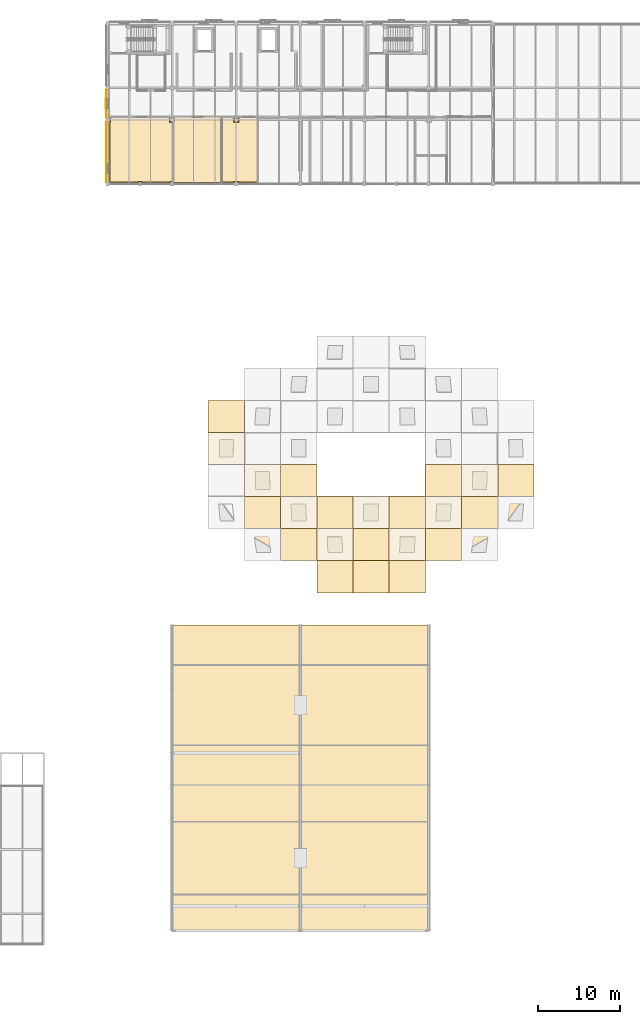
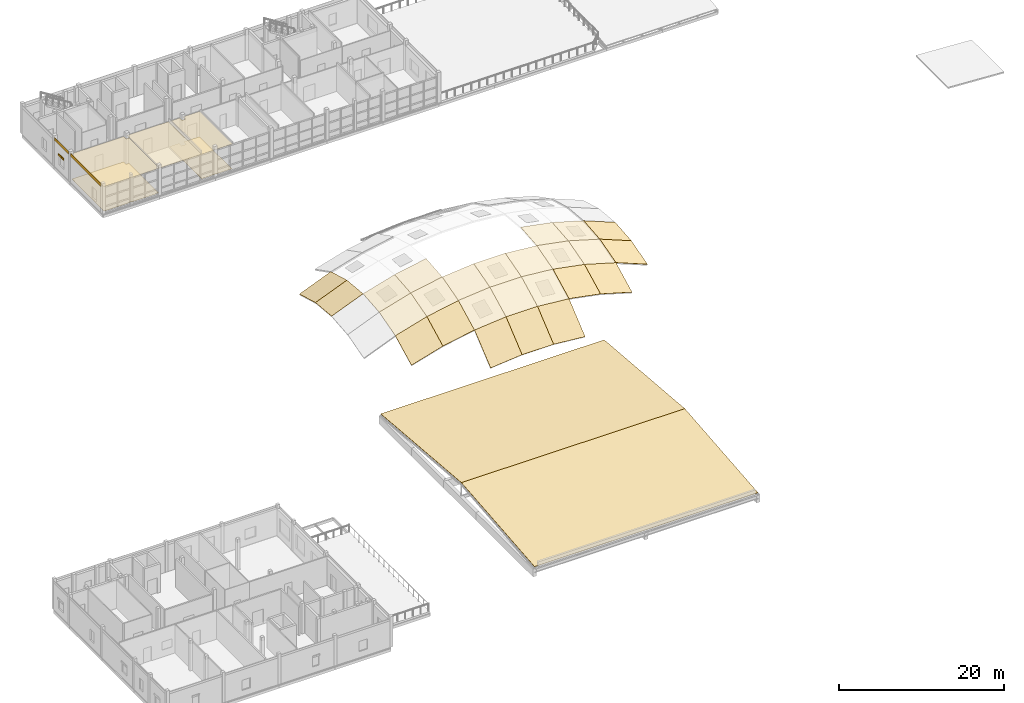
# One storey, part 41 of 45: 34 coverings, 1 shading device.
"""IFC4 building model written with IfcOpenShell, lengths in metres."""

from ifc_helpers import new_model, si_unit, direction, frame, origin, origin_2d, place, context, subcontext, project, spatial, polyline, rectangle, outline, extrude, material, layer, layer_set, type_object, element, save


model = new_model("IFC4")

# Units and contexts
model_context = context("Model", 3, precision=1e-05, world=origin(), true_north=direction((0.0, 1.0)))
body_context = subcontext(model_context, "Body", "Model", "MODEL_VIEW")
ifc_project = project(units=[si_unit("LENGTHUNIT", "METRE"), si_unit("AREAUNIT", "SQUARE_METRE"), si_unit("VOLUMEUNIT", "CUBIC_METRE"), si_unit("PLANEANGLEUNIT", "RADIAN"), si_unit("MASSUNIT", "GRAM", prefix="KILO")], contexts=[model_context])

# Site, building, storey
site_placement = place(None, origin())
site = spatial("IfcSite", under=ifc_project, at=site_placement, CompositionType="ELEMENT")
building_placement = place(site_placement, origin())
building = spatial("IfcBuilding", under=site, at=building_placement, Name="Celorna Specialist Clinic", CompositionType="ELEMENT")
storey_placement = place(building_placement, frame((0.0, 0.0, 18.60009765625)))
storey = spatial("IfcBuildingStorey", under=building, at=storey_placement, Name="L04", CompositionType="ELEMENT", Elevation=18.60009765625)

# Coverings
ifc_material_1 = material(Name="Hygienic acoustic mineral-fibre ceiling")
ifc_layer_1 = layer(ifc_material_1, 0.030029296875, Name="Hygienic acoustic mineral-fibre ceiling")
ifc_layer_set_1 = layer_set([ifc_layer_1], Name="Hygienic acoustic mineral-fibre ceiling")
covering_type_1 = type_object("IfcCoveringType", Name="CE-01", PredefinedType="CEILING", material=ifc_layer_set_1)
covering_1_placement = place(storey_placement, frame((0.0, 0.0, 3.669921875)))
element("IfcCovering", 1, at=covering_1_placement, inside=storey, type_object=covering_type_1, Name="Acoustic ceiling L04-008", PredefinedType="CEILING", context=body_context, shape_type="SweptSolid", body=[
    extrude(outline(polyline([(46.97509765625, 104.070068359375), (47.030029296875, 104.070068359375), (47.030029296875, 104.530029296875), (47.02001953125, 104.530029296875), (47.02001953125, 104.6650390625), (54.3798828125, 104.6650390625), (54.3798828125, 104.530029296875), (54.3701171875, 104.530029296875), (54.3701171875, 104.070068359375), (54.804931640625, 104.070068359375), (54.804931640625, 96.72998046875), (54.3701171875, 96.72998046875), (54.3701171875, 96.675048828125), (50.85498046875, 96.675048828125), (50.85498046875, 96.7451171875), (50.544921875, 96.7451171875), (50.544921875, 96.675048828125), (47.030029296875, 96.675048828125), (47.030029296875, 96.72998046875), (46.97509765625, 96.72998046875), (46.97509765625, 104.070068359375)])), origin(), (0.0, 0.0, 1.0), 0.030029296875),
])
covering_2_placement = place(storey_placement, frame((0.0, 0.0, 3.669921875)))
element("IfcCovering", 2, at=covering_2_placement, inside=storey, type_object=covering_type_1, Name="Acoustic ceiling L04-009", PredefinedType="CEILING", context=body_context, shape_type="SweptSolid", body=[
    extrude(outline(polyline([(54.77490234375, 104.070068359375), (54.830078125, 104.070068359375), (54.830078125, 104.530029296875), (54.820068359375, 104.530029296875), (54.820068359375, 104.6650390625), (60.655029296875, 104.6650390625), (60.655029296875, 96.675048828125), (54.830078125, 96.675048828125), (54.830078125, 96.72998046875), (54.77490234375, 96.72998046875), (54.77490234375, 104.070068359375)])), origin(), (0.0, 0.0, 1.0), 0.030029296875),
])
covering_3_placement = place(storey_placement, frame((0.0, 0.0, 3.669921875)))
element("IfcCovering", 3, at=covering_3_placement, inside=storey, type_object=covering_type_1, Name="Acoustic ceiling L04-010", PredefinedType="CEILING", context=body_context, shape_type="SweptSolid", body=[
    extrude(outline(polyline([(62.179931640625, 104.6650390625), (62.179931640625, 104.530029296875), (62.169921875, 104.530029296875), (62.169921875, 104.070068359375), (62.6298828125, 104.070068359375), (62.6298828125, 104.530029296875), (62.6201171875, 104.530029296875), (62.6201171875, 104.6650390625), (65.0048828125, 104.6650390625), (65.0048828125, 96.675048828125), (62.6298828125, 96.675048828125), (62.6298828125, 96.72998046875), (62.169921875, 96.72998046875), (62.169921875, 96.675048828125), (60.625, 96.675048828125), (60.625, 104.6650390625), (62.179931640625, 104.6650390625)])), origin(), (0.0, 0.0, 1.0), 0.030029296875),
])
ifc_material_2 = material(Name="Pero Pinheiro Lioz limestone rainscreen cladding", Category="masonry")
ifc_layer_2 = layer(ifc_material_2, 0.044921875, Name="Pero Pinheiro Lioz limestone rainscreen cladding")
ifc_layer_set_2 = layer_set([ifc_layer_2], Name="Pero Pinheiro Lioz limestone rainscreen cladding")
covering_type_2 = type_object("IfcCoveringType", Name="CL-01", PredefinedType="CLADDING", material=ifc_layer_set_2)
covering_4_placement = place(storey_placement, frame((46.632568359375, 100.39990234375, 3.81982421875), z_axis=(0.0, 0.0, 1.0), x_axis=(0.0, 1.0, 0.0)))
element("IfcCovering", 4, at=covering_4_placement, inside=storey, type_object=covering_type_2, Name="Lioz spandrel cladding #280", PredefinedType="CLADDING", context=body_context, shape_type="SweptSolid", body=[
    extrude(rectangle(XDim=7.35009765625, YDim=0.044921875, at=origin_2d()), origin(), (0.0, 0.0, 1.0), 0.43994140625),
])
covering_5_placement = place(storey_placement, frame((46.632568359375, 106.25, 3.81982421875), z_axis=(0.0, 0.0, 1.0), x_axis=(0.0, 1.0, 0.0)))
element("IfcCovering", 5, at=covering_5_placement, inside=storey, type_object=covering_type_2, Name="Lioz spandrel cladding #281", PredefinedType="CLADDING", context=body_context, shape_type="SweptSolid", body=[
    extrude(rectangle(XDim=3.449951171875, YDim=0.044921875, at=origin_2d()), origin(), (0.0, 0.0, 1.0), 0.43994140625),
])
ifc_material_3 = material(Name="Seamless antimicrobial clinical vinyl and Lioz terrazzo flooring")
ifc_layer_3 = layer(ifc_material_3, 0.02001953125, Name="Seamless antimicrobial clinical vinyl and Lioz terrazzo flooring")
ifc_layer_set_3 = layer_set([ifc_layer_3], Name="Seamless antimicrobial clinical vinyl and Lioz terrazzo flooring")
covering_type_3 = type_object("IfcCoveringType", Name="FL-01", PredefinedType="FLOORING", material=ifc_layer_set_3)
covering_6_placement = place(storey_placement, origin())
element("IfcCovering", 6, at=covering_6_placement, inside=storey, type_object=covering_type_3, Name="Antimicrobial clinical flooring L04-008", PredefinedType="FLOORING", context=body_context, shape_type="SweptSolid", body=[
    extrude(outline(polyline([(47.110107421875, 96.764892578125), (47.110107421875, 96.81005859375), (47.06494140625, 96.81005859375), (47.06494140625, 103.989990234375), (47.110107421875, 103.989990234375), (47.110107421875, 104.574951171875), (54.2900390625, 104.574951171875), (54.2900390625, 103.989990234375), (54.715087890625, 103.989990234375), (54.715087890625, 96.81005859375), (54.2900390625, 96.81005859375), (54.2900390625, 96.764892578125), (50.93505859375, 96.764892578125), (50.93505859375, 96.824951171875), (50.465087890625, 96.824951171875), (50.465087890625, 96.764892578125), (47.110107421875, 96.764892578125)])), origin(), (0.0, 0.0, 1.0), 0.02001953125),
])
covering_7_placement = place(storey_placement, origin())
element("IfcCovering", 7, at=covering_7_placement, inside=storey, type_object=covering_type_3, Name="Antimicrobial clinical flooring L04-010", PredefinedType="FLOORING", context=body_context, shape_type="SweptSolid", body=[
    extrude(outline(polyline([(60.715087890625, 104.574951171875), (62.090087890625, 104.574951171875), (62.090087890625, 103.989990234375), (62.7099609375, 103.989990234375), (62.7099609375, 104.574951171875), (64.9150390625, 104.574951171875), (64.9150390625, 96.764892578125), (62.7099609375, 96.764892578125), (62.7099609375, 96.81005859375), (62.090087890625, 96.81005859375), (62.090087890625, 96.764892578125), (60.715087890625, 96.764892578125), (60.715087890625, 104.574951171875)])), origin(), (0.0, 0.0, 1.0), 0.02001953125),
])

# Shading device
ifc_material_4 = material(Name="Anodized aluminium solar louvre", Category="aluminium")
ifc_layer_4 = layer(ifc_material_4, 0.080078125, Name="Anodized aluminium solar louvre")
ifc_layer_set_4 = layer_set([ifc_layer_4], Name="Anodized aluminium solar louvre")
shading_device_type = type_object("IfcShadingDeviceType", Name="LV-01", PredefinedType="JALOUSIE", material=ifc_layer_set_4)
shading_device_placement = place(storey_placement, frame((46.570068359375, 106.25, 2.33984375), z_axis=(0.0, 0.0, 1.0), x_axis=(0.0, 1.0, 0.0)))
element("IfcShadingDevice", 8, at=shading_device_placement, inside=storey, type_object=shading_device_type, Name="External solar louvre LV-01 #160", PredefinedType="JALOUSIE", context=body_context, shape_type="SweptSolid", body=[
    extrude(rectangle(XDim=1.199951171875, YDim=0.080078125, at=origin_2d()), origin(), (0.0, 0.0, 1.0), 0.219970703125),
])

# Coverings
ifc_material_5 = material(Name="Standing-seam zinc and EPDM acoustic roofing membrane")
ifc_layer_5 = layer(ifc_material_5, 0.0400390625, Name="Standing-seam zinc and EPDM acoustic roofing membrane")
ifc_layer_set_5 = layer_set([ifc_layer_5], Name="Standing-seam zinc and EPDM acoustic roofing membrane")
covering_type_4 = type_object("IfcCoveringType", Name="RFG-01", PredefinedType="ROOFING", material=ifc_layer_set_5)
covering_8_placement = place(storey_placement, frame((59.0, 62.39990234375, 1.164306640625), z_axis=(-0.372921049749, 0.084476737832, 0.924009508295), x_axis=(0.927324209994, -2.008205e-06, 0.374259013994)))
element("IfcCovering", 9, at=covering_8_placement, inside=storey, type_object=covering_type_4, Name="GSH-V1 gridshell standing-seam roofing 2-5", PredefinedType="ROOFING", context=body_context, shape_type="SweptSolid", body=[
    extrude(outline(polyline([(0.0, 0.0), (4.744774653392711, 2.7755575615628914e-17), (4.611272578070528, 3.9141470525154562), (-0.13341070349259498, 3.9141279273750094), (0.0, 0.0)])), origin(), (0.0, 0.0, -1.0), 0.0400390625),
])
covering_9_placement = place(storey_placement, frame((59.0, 66.300048828125, 0.807861328125), z_axis=(-0.361908443036, 0.254775062522, 0.896722892747), x_axis=(0.927324853287, 5.877843e-06, 0.374257420022)))
element("IfcCovering", 10, at=covering_9_placement, inside=storey, type_object=covering_type_4, Name="GSH-V1 gridshell standing-seam roofing 2-6", PredefinedType="ROOFING", context=body_context, shape_type="SweptSolid", body=[
    extrude(outline(polyline([(0.0, 0.0), (4.744683281679683, -1.1102230246251565e-16), (4.330062608000514, 4.032963288958166), (-0.4147120451196047, 4.033020969957852), (0.0, 0.0)])), origin(), (0.0, 0.0, -1.0), 0.0400390625),
])
covering_10_placement = place(storey_placement, frame((63.39990234375, 50.699951171875, -0.52197265625), z_axis=(-0.251864517352, -0.441166030101, 0.861357532494), x_axis=(0.959809509952, 0.0, 0.280652284162)))
element("IfcCovering", 11, at=covering_10_placement, inside=storey, type_object=covering_type_4, Name="GSH-V1 gridshell standing-seam roofing 3-2", PredefinedType="ROOFING", context=body_context, shape_type="SweptSolid", body=[
    extrude(outline(polyline([(0.0, 0.0), (4.584395589697743, 1.1102230246251565e-16), (5.145014971780734, 4.3459278460968545), (0.5606193820829908, 4.3459278460968545), (0.0, 0.0)])), origin(), (0.0, 0.0, -1.0), 0.0400390625),
])
covering_11_placement = place(storey_placement, frame((63.39990234375, 54.60009765625, 1.4755859375), z_axis=(-0.270788911902, -0.263090279222, 0.92598967066), x_axis=(0.959802833496, -6.486926e-06, 0.280675116053)))
element("IfcCovering", 12, at=covering_11_placement, inside=storey, type_object=covering_type_4, Name="GSH-V1 gridshell standing-seam roofing 3-3", PredefinedType="ROOFING", context=body_context, shape_type="SweptSolid", body=[
    extrude(outline(polyline([(0.0, 0.0), (4.584395588304201, 0.0), (4.8954016258075175, 4.042340840197503), (0.31093751330506214, 4.042279190648662), (0.0, 0.0)])), origin(), (0.0, 0.0, -1.0), 0.0400390625),
])
covering_12_placement = place(storey_placement, frame((63.39990234375, 58.5, 2.58349609375), z_axis=(-0.279626008839, -0.087447654673, 0.956118299622), x_axis=(0.959795163548, 0.0, 0.280701343121)))
element("IfcCovering", 13, at=covering_12_placement, inside=storey, type_object=covering_type_4, Name="GSH-V1 gridshell standing-seam roofing 3-4", PredefinedType="ROOFING", context=body_context, shape_type="SweptSolid", body=[
    extrude(outline(polyline([(0.0, 0.0), (4.584464114310494, 0.0), (4.684587322879622, 3.914899870988169), (0.10012320856912833, 3.914899870988169), (0.0, 0.0)])), origin(), (0.0, 0.0, -1.0), 0.0400390625),
])
covering_13_placement = place(storey_placement, frame((67.800048828125, 50.699951171875, 0.7646484375), z_axis=(-0.167159665303, -0.449447825064, 0.87752737783), x_axis=(0.982336180889, 0.0, 0.187124631506)))
element("IfcCovering", 14, at=covering_13_placement, inside=storey, type_object=covering_type_4, Name="GSH-V1 gridshell standing-seam roofing 4-2", PredefinedType="ROOFING", context=body_context, shape_type="SweptSolid", body=[
    extrude(outline(polyline([(0.0, 0.0), (4.479018923814234, 0.0), (4.852811339580392, 4.3659663494995975), (0.37379241576615824, 4.365966349499598), (0.0, 0.0)])), origin(), (0.0, 0.0, -1.0), 0.0400390625),
])
covering_14_placement = place(storey_placement, frame((67.800048828125, 54.60009765625, 2.76220703125), z_axis=(-0.180210975206, -0.268826659832, 0.946179809222), x_axis=(0.982340828316, 6.932233e-06, 0.187100232428)))
element("IfcCovering", 15, at=covering_14_placement, inside=storey, type_object=covering_type_4, Name="GSH-V1 gridshell standing-seam roofing 4-3", PredefinedType="ROOFING", context=body_context, shape_type="SweptSolid", body=[
    extrude(outline(polyline([(0.0, 0.0), (4.479018922325029, 0.0), (4.686336205101877, 4.048916242160401), (0.20736296154453007, 4.048980714366072), (0.0, 0.0)])), origin(), (0.0, 0.0, -1.0), 0.0400390625),
])
covering_15_placement = place(storey_placement, frame((67.800048828125, 58.5, 3.870361328125), z_axis=(-0.186321513194, -0.089486030695, 0.97840510221), x_axis=(0.982346199134, 0.0, 0.187072031707)))
element("IfcCovering", 16, at=covering_15_placement, inside=storey, type_object=covering_type_4, Name="GSH-V1 gridshell standing-seam roofing 4-4", PredefinedType="ROOFING", context=body_context, shape_type="SweptSolid", body=[
    extrude(outline(polyline([(0.0, 0.0), (4.478973245510586, 0.0), (4.545699866195221, 3.9156114739398458), (0.06672662068463522, 3.9156114739398458), (0.0, 0.0)])), origin(), (0.0, 0.0, -1.0), 0.0400390625),
])
covering_16_placement = place(storey_placement, frame((72.199951171875, 46.800048828125, -1.64013671875), z_axis=(-0.072061583941, -0.637693264778, 0.766912268892), x_axis=(0.995613424634, 1.3507983e-05, 0.093562324183)))
element("IfcCovering", 17, at=covering_16_placement, inside=storey, type_object=covering_type_4, Name="GSH-V1 gridshell standing-seam roofing 5-1", PredefinedType="ROOFING", context=body_context, shape_type="SweptSolid", body=[
    extrude(outline(polyline([(0.0, 0.0), (4.419539875327313, 0.0), (4.7229848378088155, 5.062815981158357), (0.30346780484580455, 5.0629709848209075), (0.0, 0.0)])), origin(), (0.0, 0.0, -1.0), 0.0400390625),
])
covering_17_placement = place(storey_placement, frame((72.199951171875, 50.699951171875, 1.602783203125), z_axis=(-0.083316673046, -0.454276899023, 0.886955935211), x_axis=(0.995617043189, 0.0, 0.09352381147)))
element("IfcCovering", 18, at=covering_17_placement, inside=storey, type_object=covering_type_4, Name="GSH-V1 gridshell standing-seam roofing 5-2", PredefinedType="ROOFING", context=body_context, shape_type="SweptSolid", body=[
    extrude(outline(polyline([(0.0, 0.0), (4.419517036672728, 0.0), (4.606336329994324, 4.377954029759788), (0.1868192933215959, 4.377954029759788), (0.0, 0.0)])), origin(), (0.0, 0.0, -1.0), 0.0400390625),
])
covering_18_placement = place(storey_placement, frame((72.199951171875, 54.60009765625, 3.600341796875), z_axis=(-0.090018986099, -0.272191562405, 0.958023139333), x_axis=(0.995614661518, -7.202544e-06, 0.093549162044)))
element("IfcCovering", 19, at=covering_18_placement, inside=storey, type_object=covering_type_4, Name="GSH-V1 gridshell standing-seam roofing 5-3", PredefinedType="ROOFING", context=body_context, shape_type="SweptSolid", body=[
    extrude(outline(polyline([(0.0, 0.0), (4.419517035125454, -1.3877787807814457e-17), (4.523155851796584, 4.052962276961368), (0.10361597752024153, 4.052896115203887), (0.0, 0.0)])), origin(), (0.0, 0.0, -1.0), 0.0400390625),
])
covering_19_placement = place(storey_placement, frame((76.60009765625, 46.800048828125, -1.2265625), z_axis=(0.0, -0.639341241338, 0.768923128228), x_axis=(1.0, 0.0, 0.0)))
element("IfcCovering", 20, at=covering_19_placement, inside=storey, type_object=covering_type_4, Name="GSH-V1 gridshell standing-seam roofing 6-1", PredefinedType="ROOFING", context=body_context, shape_type="SweptSolid", body=[
    extrude(outline(polyline([(0.0, 0.0), (4.39990234375, 0.0), (4.39990234375, 5.07190146918215), (0.0, 5.07190146918215), (0.0, 0.0)])), origin(), (0.0, 0.0, -1.0), 0.0400390625),
])
covering_20_placement = place(storey_placement, frame((76.60009765625, 50.699951171875, 2.01611328125), z_axis=(0.0, -0.455861875306, 0.890050532634), x_axis=(1.0, 0.0, 0.0)))
element("IfcCovering", 21, at=covering_20_placement, inside=storey, type_object=covering_type_4, Name="GSH-V1 gridshell standing-seam roofing 6-2", PredefinedType="ROOFING", context=body_context, shape_type="SweptSolid", body=[
    extrude(outline(polyline([(0.0, 0.0), (4.39990234375, 0.0), (4.39990234375, 4.381938262350024), (0.0, 4.381938262350024), (0.0, 0.0)])), origin(), (0.0, 0.0, -1.0), 0.0400390625),
])
covering_21_placement = place(storey_placement, frame((76.60009765625, 54.60009765625, 4.013671875), z_axis=(0.0, -0.273329011448, 0.961920605612), x_axis=(1.0, 0.0, 0.0)))
element("IfcCovering", 22, at=covering_21_placement, inside=storey, type_object=covering_type_4, Name="GSH-V1 gridshell standing-seam roofing 6-3", PredefinedType="ROOFING", context=body_context, shape_type="SweptSolid", body=[
    extrude(outline(polyline([(0.0, 0.0), (4.39990234375, 0.0), (4.39990234375, 4.054287142824157), (0.0, 4.054287142824157), (0.0, 0.0)])), origin(), (0.0, 0.0, -1.0), 0.0400390625),
])
covering_22_placement = place(storey_placement, frame((81.0, 46.800048828125, -1.2265625), z_axis=(0.07206556171, -0.637693081027, 0.766912047907), x_axis=(0.995612941017, -1.3508718e-05, -0.093567470288)))
element("IfcCovering", 23, at=covering_22_placement, inside=storey, type_object=covering_type_4, Name="GSH-V1 gridshell standing-seam roofing 7-1", PredefinedType="ROOFING", context=body_context, shape_type="SweptSolid", body=[
    extrude(outline(polyline([(0.0, 0.0), (4.4192968060752875, -5.551115123125783e-17), (4.11581230995583, 5.062969984340361), (-0.30346165249878143, 5.0628149807977945), (0.0, 0.0)])), origin(), (0.0, 0.0, -1.0), 0.0400390625),
])
covering_23_placement = place(storey_placement, frame((81.0, 50.699951171875, 2.01611328125), z_axis=(0.083321264006, -0.454276724041, 0.886955593566), x_axis=(0.995616559968, 0.0, -0.0935289555)))
element("IfcCovering", 24, at=covering_23_placement, inside=storey, type_object=covering_type_4, Name="GSH-V1 gridshell standing-seam roofing 7-2", PredefinedType="ROOFING", context=body_context, shape_type="SweptSolid", body=[
    extrude(outline(polyline([(0.0, 0.0), (4.419273966164528, 0.0), (4.232444397340459, 4.377953591263863), (-0.18682956882406912, 4.377953591263863), (0.0, 0.0)])), origin(), (0.0, 0.0, -1.0), 0.0400390625),
])
covering_24_placement = place(storey_placement, frame((81.0, 54.60009765625, 4.013671875), z_axis=(0.090023940569, -0.272191440014, 0.958022708555), x_axis=(0.995614178036, 7.202933e-06, -0.093554307446)))
element("IfcCovering", 25, at=covering_24_placement, inside=storey, type_object=covering_type_4, Name="GSH-V1 gridshell standing-seam roofing 7-3", PredefinedType="ROOFING", context=body_context, shape_type="SweptSolid", body=[
    extrude(outline(polyline([(0.0, 0.0), (4.419273964617171, 1.3877787807814457e-17), (4.315652287973377, 4.052895969496598), (-0.10364451705088486, 4.052962131192217), (0.0, 0.0)])), origin(), (0.0, 0.0, -1.0), 0.0400390625),
])
covering_25_placement = place(storey_placement, frame((85.39990234375, 50.699951171875, 1.602783203125), z_axis=(0.167150649645, -0.449448521858, 0.877528738289), x_axis=(0.982338089354, 0.0, -0.187114612481)))
element("IfcCovering", 26, at=covering_25_placement, inside=storey, type_object=covering_type_4, Name="GSH-V1 gridshell standing-seam roofing 8-2", PredefinedType="ROOFING", context=body_context, shape_type="SweptSolid", body=[
    extrude(outline(polyline([(0.0, 0.0), (4.47925875221637, -5.551115123125783e-17), (4.105486350037897, 4.3659680629176485), (-0.3737724021784728, 4.3659680629176485), (0.0, 0.0)])), origin(), (0.0, 0.0, -1.0), 0.0400390625),
])
covering_26_placement = place(storey_placement, frame((85.39990234375, 54.60009765625, 3.600341796875), z_axis=(0.180201300961, -0.268827144224, 0.946181514119), x_axis=(0.982342736291, -6.931887e-06, -0.187090214622)))
element("IfcCovering", 27, at=covering_26_placement, inside=storey, type_object=covering_type_4, Name="GSH-V1 gridshell standing-seam roofing 8-3", PredefinedType="ROOFING", context=body_context, shape_type="SweptSolid", body=[
    extrude(outline(polyline([(0.0, 0.0), (4.479258750727238, 2.7755575615628914e-17), (4.271906891807173, 4.048981282956401), (-0.2073061825981353, 4.048916810509303), (0.0, 0.0)])), origin(), (0.0, 0.0, -1.0), 0.0400390625),
])
covering_27_placement = place(storey_placement, frame((85.39990234375, 58.5, 4.708251953125), z_axis=(0.18631153407, -0.089486203058, 0.978406986757), x_axis=(0.982348106546, 0.0, -0.187062015295)))
element("IfcCovering", 28, at=covering_27_placement, inside=storey, type_object=covering_type_4, Name="GSH-V1 gridshell standing-seam roofing 8-4", PredefinedType="ROOFING", context=body_context, shape_type="SweptSolid", body=[
    extrude(outline(polyline([(0.0, 0.0), (4.479213076358454, -1.3877787807814457e-17), (4.412490028422367, 3.9156115348220486), (-0.06672304793608737, 3.9156115348220486), (0.0, 0.0)])), origin(), (0.0, 0.0, -1.0), 0.0400390625),
])
covering_28_placement = place(storey_placement, frame((89.800048828125, 50.699951171875, 0.7646484375), z_axis=(0.251877606136, -0.441164477203, 0.861354500529), x_axis=(0.959805314986, 0.0, -0.280666630229)))
element("IfcCovering", 29, at=covering_28_placement, inside=storey, type_object=covering_type_4, Name="GSH-V1 gridshell standing-seam roofing 9-2", PredefinedType="ROOFING", context=body_context, shape_type="SweptSolid", body=[
    extrude(outline(polyline([(0.0, 0.0), (4.58416126171617, 0.0), (4.023513222524335, 4.345924149268772), (-0.5606480391918346, 4.345924149268773), (0.0, 0.0)])), origin(), (0.0, 0.0, -1.0), 0.0400390625),
])
covering_29_placement = place(storey_placement, frame((89.800048828125, 54.60009765625, 2.76220703125), z_axis=(0.270802835515, -0.263089208756, 0.925985902978), x_axis=(0.959798637873, 6.487204e-06, -0.280689463101)))
element("IfcCovering", 30, at=covering_29_placement, inside=storey, type_object=covering_type_4, Name="GSH-V1 gridshell standing-seam roofing 9-3", PredefinedType="ROOFING", context=body_context, shape_type="SweptSolid", body=[
    extrude(outline(polyline([(0.0, 0.0), (4.584161260322568, -5.551115123125783e-17), (4.273207852864601, 4.0422779680177765), (-0.31102193515891896, 4.042339617046331), (0.0, 0.0)])), origin(), (0.0, 0.0, -1.0), 0.0400390625),
])
covering_30_placement = place(storey_placement, frame((89.800048828125, 58.5, 3.870361328125), z_axis=(0.279640311368, -0.087447275262, 0.956114151295), x_axis=(0.959790967178, 0.0, -0.280715691266)))
element("IfcCovering", 31, at=covering_30_placement, inside=storey, type_object=covering_type_4, Name="GSH-V1 gridshell standing-seam roofing 9-4", PredefinedType="ROOFING", context=body_context, shape_type="SweptSolid", body=[
    extrude(outline(polyline([(0.0, 0.0), (4.584229789831632, -1.3877787807814457e-17), (4.484101463430338, 3.9148997400967285), (-0.10012832640129328, 3.9148997400967285), (0.0, 0.0)])), origin(), (0.0, 0.0, -1.0), 0.0400390625),
])
covering_31_placement = place(storey_placement, frame((94.199951171875, 54.60009765625, 1.4755859375), z_axis=(0.36189099256, -0.254776914006, 0.89672940935), x_axis=(0.92733090095, -5.877535e-06, -0.374242434939)))
element("IfcCovering", 32, at=covering_31_placement, inside=storey, type_object=covering_type_4, Name="GSH-V1 gridshell standing-seam roofing 10-3", PredefinedType="ROOFING", context=body_context, shape_type="SweptSolid", body=[
    extrude(outline(polyline([(0.0, 0.0), (4.745001049698407, 5.551115123125783e-17), (4.330259765535084, 4.033017963225238), (-0.4146499163813563, 4.032960282468847), (0.0, 0.0)])), origin(), (0.0, 0.0, -1.0), 0.0400390625),
])
covering_32_placement = place(storey_placement, frame((94.199951171875, 58.5, 2.58349609375), z_axis=(0.3729030691, -0.084482640352, 0.924016225255), x_axis=(0.927331544225, 2.008303e-06, -0.374240841012)))
element("IfcCovering", 33, at=covering_32_placement, inside=storey, type_object=covering_type_4, Name="GSH-V1 gridshell standing-seam roofing 10-4", PredefinedType="ROOFING", context=body_context, shape_type="SweptSolid", body=[
    extrude(outline(polyline([(0.0, 0.0), (4.7449096821890215, 0.0), (4.611521120848824, 3.9138854135718972), (-0.13347992873302258, 3.9139045405656083), (0.0, 0.0)])), origin(), (0.0, 0.0, -1.0), 0.0400390625),
])
covering_33_placement = place(storey_placement, frame((54.60009765625, 5.699951171875, 0.119873046875), z_axis=(0.0, -0.093929014958, 0.995578896999), x_axis=(1.0, 0.0, 0.0)))
element("IfcCovering", 34, at=covering_33_placement, inside=storey, type_object=covering_type_4, Name="Standing-seam zinc roofing ROOF-V6-SOUTH", PredefinedType="ROOFING", context=body_context, shape_type="SweptSolid", body=[
    extrude(outline(polyline([(0.0, 0.0), (31.199951171875, 0.0), (31.199951171875, 17.778551981400586), (0.0, 17.778551981400586), (0.0, 0.0)])), origin(), (0.0, 0.0, -1.0), 0.0400390625),
])
covering_34_placement = place(storey_placement, frame((54.60009765625, 23.39990234375, 1.789794921875), z_axis=(0.0, 0.085324717864, 0.996353196673), x_axis=(1.0, 0.0, 0.0)))
element("IfcCovering", 35, at=covering_34_placement, inside=storey, type_object=covering_type_4, Name="Standing-seam zinc roofing ROOF-V6-NORTH", PredefinedType="ROOFING", context=body_context, shape_type="SweptSolid", body=[
    extrude(outline(polyline([(0.0, 0.0), (31.199951171875, 0.0), (31.199951171875, 19.571372947971827), (0.0, 19.571372947971827), (0.0, 0.0)])), origin(), (0.0, 0.0, -1.0), 0.0400390625),
])

save(model, "model.ifc")
